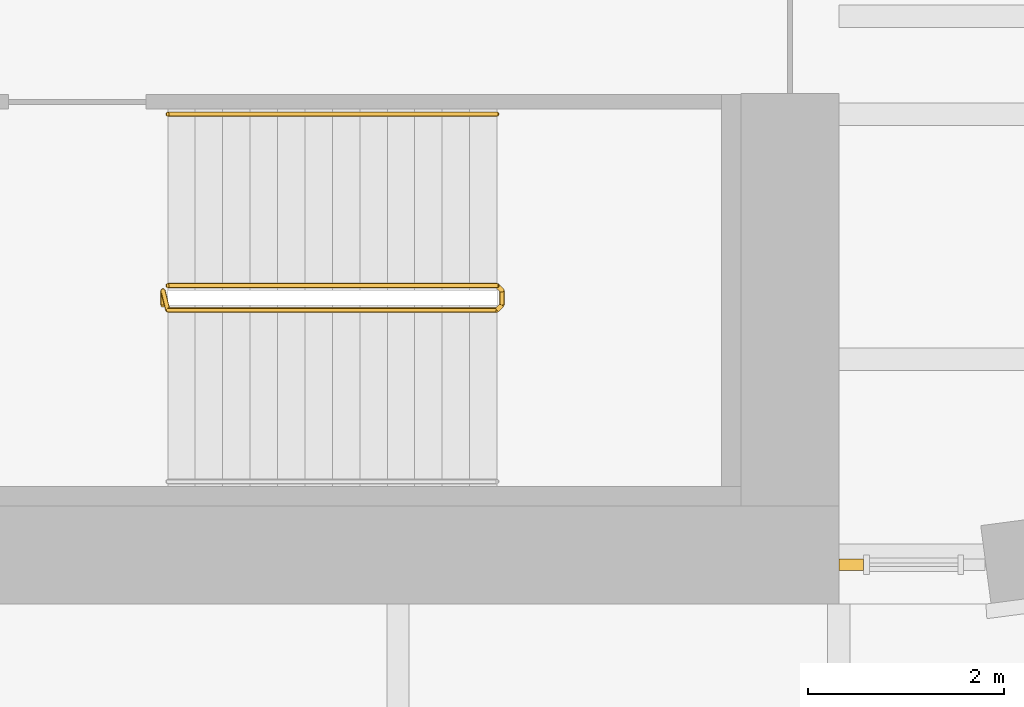
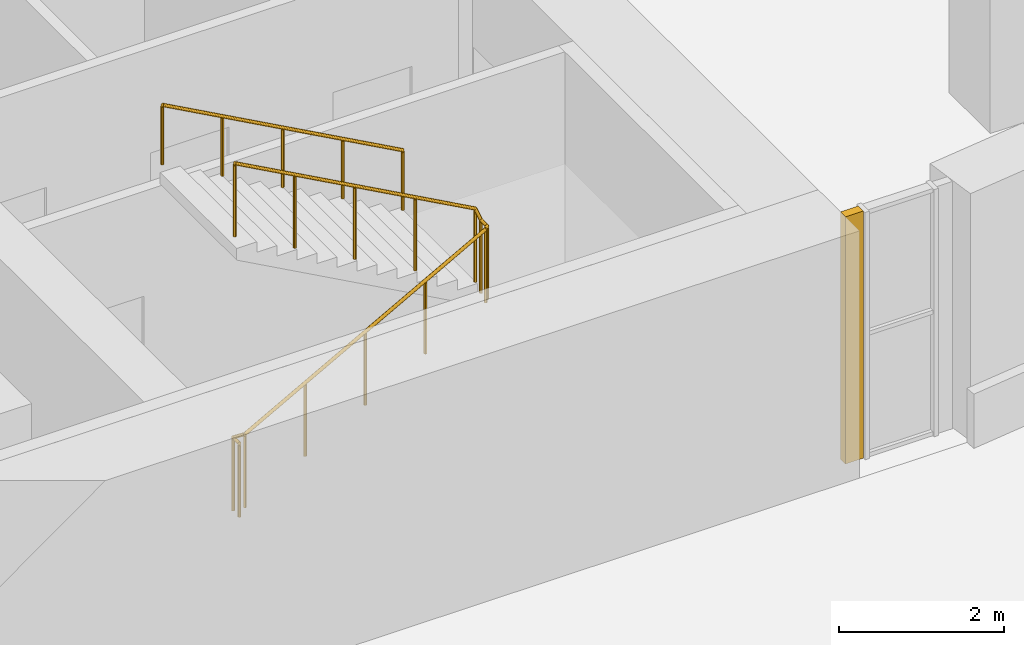
# One storey, part 21 of 26: 2 railings, 1 covering.
"""IFC4 building model written with IfcOpenShell, lengths in metres."""

from ifc_helpers import new_model, si_unit, direction, frame, origin, origin_2d, place, context, subcontext, project, spatial, rectangle, circle, extrude, material, layer, layer_set, type_object, element, save


model = new_model("IFC4")

# Units and contexts
model_context = context("Model", 3, precision=1e-05, world=origin(), true_north=direction((0.0, 1.0)))
body_context = subcontext(model_context, "Body", "Model", "MODEL_VIEW")
ifc_project = project(units=[si_unit("LENGTHUNIT", "METRE"), si_unit("AREAUNIT", "SQUARE_METRE"), si_unit("VOLUMEUNIT", "CUBIC_METRE"), si_unit("PLANEANGLEUNIT", "RADIAN"), si_unit("MASSUNIT", "GRAM", prefix="KILO")], contexts=[model_context])

# Site, building, storey
site_placement = place(None, origin())
site = spatial("IfcSite", under=ifc_project, at=site_placement, CompositionType="ELEMENT")
building_placement = place(site_placement, origin())
building = spatial("IfcBuilding", under=site, at=building_placement, Name="Zellij Exchange Tower", CompositionType="ELEMENT")
storey_placement = place(building_placement, frame((0.0, 0.0, 156.5)))
storey = spatial("IfcBuildingStorey", under=building, at=storey_placement, Name="L35", CompositionType="ELEMENT", Elevation=156.5)

# Railings
ifc_material_1 = material(Name="Stainless steel", Category="steel")
railing_type_1 = type_object("IfcRailingType", Name="CORE-RG stair guard", PredefinedType="GUARDRAIL", material=ifc_material_1)
railing_1_placement = place(storey_placement, frame((20.10009765625, -10.949951171875, 0.0)))
element("IfcRailing", 1, at=railing_1_placement, inside=storey, type_object=railing_type_1, Name="ST4 stair guard L35", PredefinedType="GUARDRAIL", context=body_context, shape_type="SweptSolid", body=[
    extrude(circle(Radius=0.02392578125, at=origin_2d()), frame((0.0, 0.0, 1.076171875), z_axis=(0.0, 1.0, 0.0), x_axis=(-1.0, 0.0, 0.0)), (0.0, 0.0, 1.0), 0.14990234375),
    extrude(circle(Radius=0.02392578125, at=origin_2d()), frame((0.0, 0.14990234375, 1.076171875), z_axis=(0.193691321961, -0.777613689637, 0.598164376644), x_axis=(0.970351222016, 0.241699205484, 0.0)), (0.0, 0.0, 1.0), 0.257080078125),
    extrude(circle(Radius=0.02392578125, at=origin_2d()), frame((0.0498046875, -0.050048828125, 1.22998046875), z_axis=(0.876421534553, 0.0, 0.481544695509), x_axis=(0.0, 1.0, 0.0)), (0.0, 0.0, 1.0), 3.833984375),
    extrude(circle(Radius=0.02392578125, at=origin_2d()), frame((3.409912109375, -0.050048828125, 3.076171875), z_axis=(0.707106781187, 0.707106781187, 0.0), x_axis=(-0.707106781187, 0.707106781187, 0.0)), (0.0, 0.0, 1.0), 0.07080078125),
    extrude(circle(Radius=0.02392578125, at=origin_2d()), frame((3.4599609375, 0.0, 3.076171875), z_axis=(0.0, 1.0, 0.0), x_axis=(-1.0, 0.0, 0.0)), (0.0, 0.0, 1.0), 0.14990234375),
    extrude(circle(Radius=0.02392578125, at=origin_2d()), frame((3.4599609375, 0.14990234375, 3.076171875), z_axis=(-0.295599637079, 0.295599637079, 0.908428152975), x_axis=(-0.707106781187, -0.707106781187, 0.0)), (0.0, 0.0, 1.0), 0.16943359375),
    extrude(circle(Radius=0.02392578125, at=origin_2d()), frame((3.409912109375, 0.199951171875, 3.22998046875), z_axis=(-0.876421534553, 0.0, 0.481544695509), x_axis=(0.0, -1.0, 0.0)), (0.0, 0.0, 1.0), 3.833984375),
    extrude(circle(Radius=0.02099609375, at=origin_2d()), origin(), (0.0, 0.0, 1.0), 1.052001953125),
    extrude(circle(Radius=0.02099609375, at=origin_2d()), frame((0.0, 0.14990234375, 0.0)), (0.0, 0.0, 1.0), 1.052001953125),
    extrude(circle(Radius=0.02099609375, at=origin_2d()), frame((0.0498046875, -0.050048828125, 0.15380859375)), (0.0, 0.0, 1.0), 1.052001953125),
    extrude(circle(Radius=0.02099609375, at=origin_2d()), frame((0.889892578125, -0.050048828125, 0.615234375)), (0.0, 0.0, 1.0), 1.052001953125),
    extrude(circle(Radius=0.02099609375, at=origin_2d()), frame((1.72998046875, -0.050048828125, 1.076904296875)), (0.0, 0.0, 1.0), 1.052001953125),
    extrude(circle(Radius=0.02099609375, at=origin_2d()), frame((2.56982421875, -0.050048828125, 1.53857421875)), (0.0, 0.0, 1.0), 1.052001953125),
    extrude(circle(Radius=0.02099609375, at=origin_2d()), frame((3.409912109375, -0.050048828125, 2.0)), (0.0, 0.0, 1.0), 1.052001953125),
    extrude(circle(Radius=0.02099609375, at=origin_2d()), frame((3.4599609375, 0.0, 2.0)), (0.0, 0.0, 1.0), 1.052001953125),
    extrude(circle(Radius=0.02099609375, at=origin_2d()), frame((3.4599609375, 0.14990234375, 2.0)), (0.0, 0.0, 1.0), 1.052001953125),
    extrude(circle(Radius=0.02099609375, at=origin_2d()), frame((3.409912109375, 0.199951171875, 2.15380859375)), (0.0, 0.0, 1.0), 1.052001953125),
    extrude(circle(Radius=0.02099609375, at=origin_2d()), frame((2.56982421875, 0.199951171875, 2.615234375)), (0.0, 0.0, 1.0), 1.052001953125),
    extrude(circle(Radius=0.02099609375, at=origin_2d()), frame((1.72998046875, 0.199951171875, 3.076904296875)), (0.0, 0.0, 1.0), 1.052001953125),
    extrude(circle(Radius=0.02099609375, at=origin_2d()), frame((0.889892578125, 0.199951171875, 3.53857421875)), (0.0, 0.0, 1.0), 1.052001953125),
    extrude(circle(Radius=0.02099609375, at=origin_2d()), frame((0.0498046875, 0.199951171875, 4.0)), (0.0, 0.0, 1.0), 1.052001953125),
])
railing_type_2 = type_object("IfcRailingType", Name="CORE-RH stair handrail", PredefinedType="HANDRAIL", material=ifc_material_1)
railing_2_placement = place(storey_placement, frame((23.510009765625, -9.0, 2.15380859375)))
element("IfcRailing", 2, at=railing_2_placement, inside=storey, type_object=railing_type_2, Name="ST4 stair handrail L35", PredefinedType="HANDRAIL", context=body_context, shape_type="SweptSolid", body=[
    extrude(circle(Radius=0.02392578125, at=origin_2d()), frame((0.0, 0.0, 0.8759765625), z_axis=(-0.876421534553, 0.0, 0.481544695509), x_axis=(0.0, -1.0, 0.0)), (0.0, 0.0, 1.0), 3.833984375),
    extrude(circle(Radius=0.02099609375, at=origin_2d()), origin(), (0.0, 0.0, 1.0), 0.851806640625),
    extrude(circle(Radius=0.02099609375, at=origin_2d()), frame((-0.840087890625, 0.0, 0.46142578125)), (0.0, 0.0, 1.0), 0.851806640625),
    extrude(circle(Radius=0.02099609375, at=origin_2d()), frame((-1.68017578125, 0.0, 0.923095703125)), (0.0, 0.0, 1.0), 0.851806640625),
    extrude(circle(Radius=0.02099609375, at=origin_2d()), frame((-2.52001953125, 0.0, 1.384765625)), (0.0, 0.0, 1.0), 0.851806640625),
    extrude(circle(Radius=0.02099609375, at=origin_2d()), frame((-3.360107421875, 0.0, 1.84619140625)), (0.0, 0.0, 1.0), 0.851806640625),
])

# Covering
ifc_material_2 = material(Name="Limestone cladding", Category="masonry")
ifc_layer = layer(ifc_material_2, 0.1201171875)
ifc_layer_set = layer_set([ifc_layer], Name="Limestone cladding")
covering_type = type_object("IfcCoveringType", Name="ENV-CV18 Glazing closer 120", PredefinedType="CLADDING", material=ifc_layer_set)
covering_placement = place(storey_placement, frame((27.125, -13.60009765625, 0.0), z_axis=(0.0, 0.0, 1.0), x_axis=(-1.0, 0.0, 0.0)))
element("IfcCovering", 3, at=covering_placement, inside=storey, type_object=covering_type, Name="Glazing closer", PredefinedType="CLADDING", context=body_context, shape_type="SweptSolid", body=[
    extrude(rectangle(XDim=0.25, YDim=0.1201171875, at=origin_2d()), origin(), (0.0, 0.0, 1.0), 3.64990234375),
])

save(model, "model.ifc")
